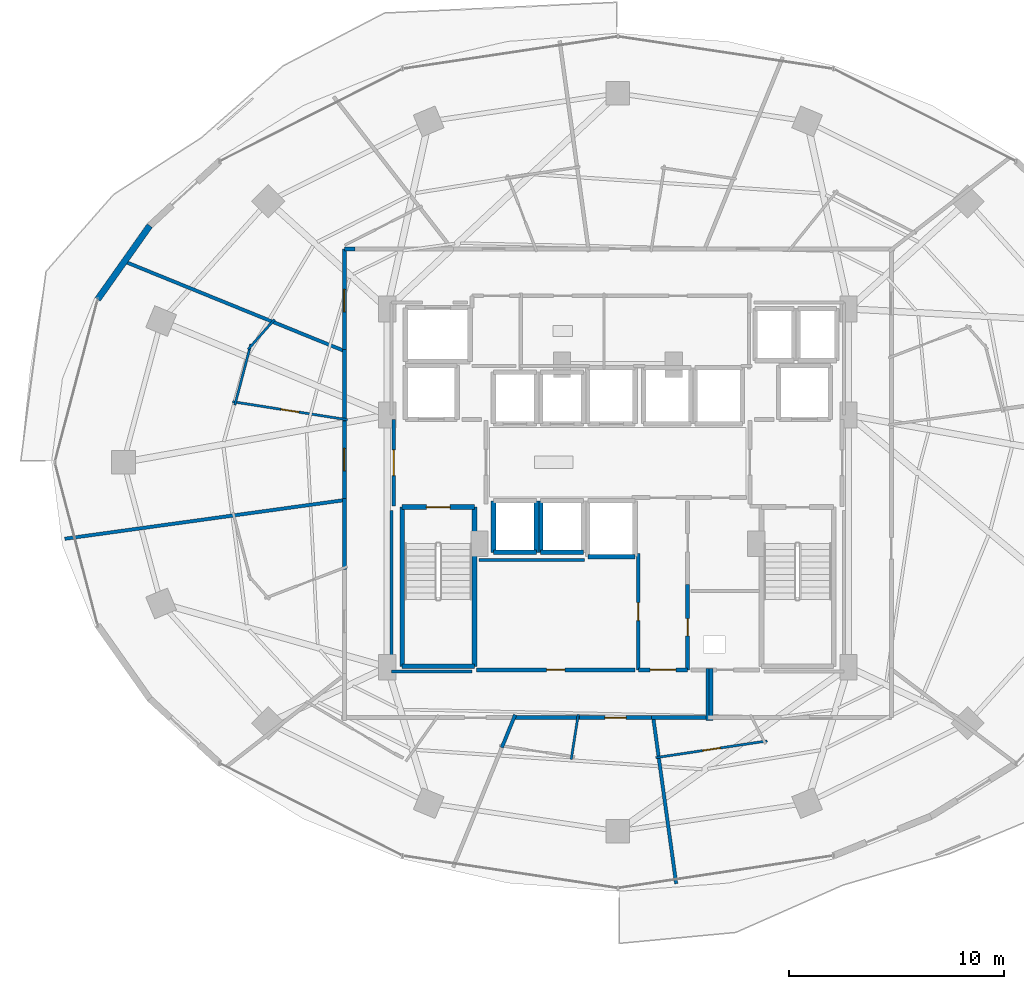
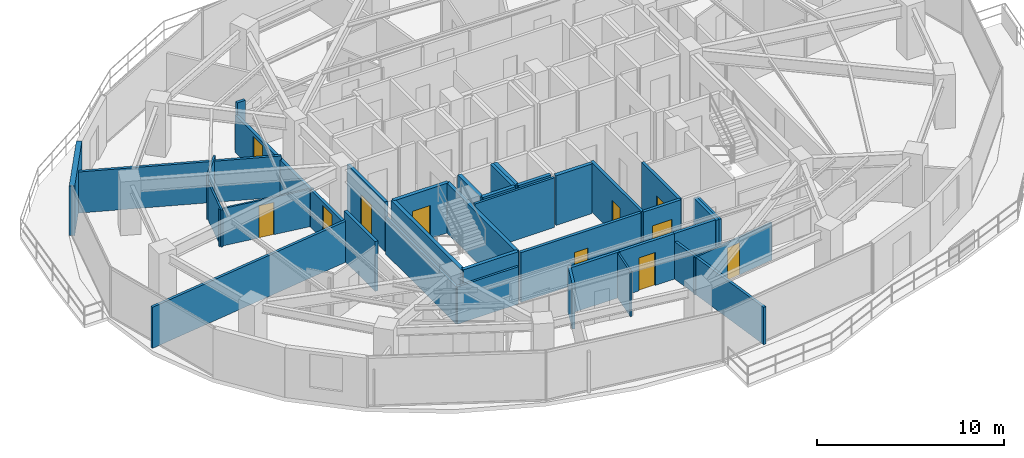
# One storey, part 22 of 30: 38 walls, 11 doors, 11 openings.
"""IFC4 building model written with IfcOpenShell, lengths in metres."""

from ifc_helpers import new_model, si_unit, direction, frame, frame_2d, origin, place, context, subcontext, project, spatial, rectangle, extrude, material, layer, layer_set, type_object, element, fill, save


model = new_model("IFC4")

# Units and contexts
model_context = context("Model", 3, precision=1e-05, world=origin(), true_north=direction((0.0, 1.0)))
body_context = subcontext(model_context, "Body", "Model", "MODEL_VIEW")
ifc_project = project(units=[si_unit("LENGTHUNIT", "METRE"), si_unit("AREAUNIT", "SQUARE_METRE"), si_unit("VOLUMEUNIT", "CUBIC_METRE"), si_unit("PLANEANGLEUNIT", "RADIAN"), si_unit("MASSUNIT", "GRAM", prefix="KILO")], contexts=[model_context])

# Site, building, storey
site_placement = place(None, origin())
site = spatial("IfcSite", under=ifc_project, at=site_placement, CompositionType="ELEMENT")
building_placement = place(site_placement, origin())
building = spatial("IfcBuilding", under=site, at=building_placement, Name="Vorneva Point Tower", CompositionType="ELEMENT")
storey_placement = place(building_placement, frame((0.0, 0.0, 96.300048828125)))
storey = spatial("IfcBuildingStorey", under=building, at=storey_placement, Name="L25", CompositionType="ELEMENT", Elevation=96.300048828125)

# Walls
ifc_material_1 = material(Name="Precast concrete B50 (C40/50)", Category="concrete")
ifc_layer_1 = layer(ifc_material_1, 0.300048828125)
ifc_layer_set_1 = layer_set([ifc_layer_1], Name="Precast concrete B50 (C40/50)")
wall_type_1 = type_object("IfcWallType", Name="WL-EXT-300", PredefinedType="STANDARD", material=ifc_layer_set_1)
wall_1_placement = place(storey_placement, frame((16.173828125, 37.028076171875, 0.0), z_axis=(0.0, 0.0, 1.0), x_axis=(-0.57716435238, -0.81662801222, 0.0)))
element("IfcWall", 1, at=wall_1_placement, inside=storey, type_object=wall_type_1, Name="L25 Pale-Metal Facade Spandrel Wall 07.2", PredefinedType="STANDARD", context=body_context, shape_type="SweptSolid", body=[
    extrude(rectangle(XDim=4.202392578125, YDim=0.300048828125, at=frame_2d((2.10107421875, 0.0))), origin(), (0.0, 0.0, 1.0), 3.239990234375),
])
ifc_material_2 = material(Name="Fire-rated acoustic gypsum stud partition", Category="gypsum")
ifc_layer_2 = layer(ifc_material_2, 0.110107421875)
ifc_layer_set_2 = layer_set([ifc_layer_2], Name="Fire-rated acoustic gypsum stud partition")
wall_type_2 = type_object("IfcWallType", Name="WL-PART-110", PredefinedType="PARTITIONING", material=ifc_layer_set_2)
wall_2_placement = place(storey_placement, frame((20.141357421875, 28.66650390625, 0.0), z_axis=(0.0, 0.0, 1.0), x_axis=(0.254489206931, 0.967075614187, 0.0)))
element("IfcWall", 2, at=wall_2_placement, inside=storey, type_object=wall_type_2, Name="L25 Interior Partition 068", PredefinedType="PARTITIONING", context=body_context, shape_type="SweptSolid", body=[
    extrude(rectangle(XDim=2.9365234375, YDim=0.110107421875, at=frame_2d((1.46826171875, 0.0))), origin(), (0.0, 0.0, 1.0), 2.431884765625),
])
wall_3_placement = place(storey_placement, frame((20.76025390625, 31.26611328125, 0.0), z_axis=(0.0, 0.0, 1.0), x_axis=(0.662008805554, 0.749496058275, 0.0)))
element("IfcWall", 3, at=wall_3_placement, inside=storey, type_object=wall_type_2, Name="L25 Interior Partition 069", PredefinedType="PARTITIONING", context=body_context, shape_type="SweptSolid", body=[
    extrude(rectangle(XDim=1.855712890625, YDim=0.110107421875, at=frame_2d((0.927734375, 0.0))), origin(), (0.0, 0.0, 1.0), 2.921875),
])

# Wall, opening, door
wall_4_placement = place(storey_placement, frame((25.38818359375, 27.982177734375, 0.0), z_axis=(0.0, 0.0, 1.0), x_axis=(-0.98785054141, 0.155406910513, 0.0)))
wall_4 = element("IfcWall", 4, at=wall_4_placement, inside=storey, type_object=wall_type_2, Name="L25 Interior Partition 070", PredefinedType="PARTITIONING", context=body_context, shape_type="SweptSolid", body=[
    extrude(rectangle(XDim=5.4150390625, YDim=0.110107421875, at=frame_2d((2.70751953125, 0.0))), origin(), (0.0, 0.0, 1.0), 2.431884765625),
])
opening_1_placement = place(wall_4_placement, frame((2.28271484375, 0.0, 0.0)))
opening_1 = element("IfcOpeningElement", 5, at=opening_1_placement, cuts=wall_4, Name="Opening ID-02", PredefinedType="OPENING", context=body_context, shape_type="SweptSolid", body=[
    extrude(rectangle(XDim=0.85009765625, YDim=2.10009765625, at=frame_2d((0.425048828125, 1.050048828125))), frame((0.0, 0.06982421875, 0.0), z_axis=(0.0, -1.0, 0.0), x_axis=(1.0, 0.0, 0.0)), (0.0, 0.0, 1.0), 0.139892578125),
])
ifc_material_3 = material(Name="Engineered oak fire-rated door leaf", Category="wood")
door_type_1 = type_object("IfcDoorType", Name="DR-BATH-850", OperationType="NOTDEFINED", PredefinedType="DOOR", material=ifc_material_3)
door_1_placement = place(opening_1_placement, origin())
door_1 = element("IfcDoor", 6, at=door_1_placement, inside=storey, type_object=door_type_1, Name="L25 Door Corner Suite L25-06 / En-Suite Bathroom L25-06", OperationType="SINGLE_SWING_RIGHT", OverallHeight=2.10009765625, OverallWidth=0.85009765625, PredefinedType="DOOR", context=body_context, shape_type="SweptSolid", body=[
    extrude(rectangle(XDim=0.85009765625, YDim=2.10009765625, at=frame_2d((0.425048828125, 1.050048828125))), frame((0.0, 0.02490234375, 0.0), z_axis=(0.0, -1.0, 0.0), x_axis=(1.0, 0.0, 0.0)), (0.0, 0.0, 1.0), 0.050048828125),
])
fill(opening_1, door_1)

# Wall
wall_5_placement = place(storey_placement, frame((36.150634765625, 14.23828125, 0.0), z_axis=(0.0, 0.0, 1.0), x_axis=(-0.15485948048, -0.987936506718, 0.0)))
element("IfcWall", 7, at=wall_5_placement, inside=storey, type_object=wall_type_2, Name="L25 Interior Partition 080", PredefinedType="PARTITIONING", context=body_context, shape_type="SweptSolid", body=[
    extrude(rectangle(XDim=2.114013671875, YDim=0.110107421875, at=frame_2d((1.05712890625, 0.0))), origin(), (0.0, 0.0, 1.0), 2.921875),
])

# Wall, opening, door
wall_6_placement = place(storey_placement, frame((44.96142578125, 13.0107421875, 0.0), z_axis=(0.0, 0.0, 1.0), x_axis=(-0.98888518965, -0.148681141008, 0.0)))
wall_6 = element("IfcWall", 8, at=wall_6_placement, inside=storey, type_object=wall_type_2, Name="L25 Interior Partition 083", PredefinedType="PARTITIONING", context=body_context, shape_type="SweptSolid", body=[
    extrude(rectangle(XDim=5.256103515625, YDim=0.110107421875, at=frame_2d((2.6279296875, 0.0))), origin(), (0.0, 0.0, 1.0), 2.431884765625),
])
opening_2_placement = place(wall_6_placement, frame((2.203125, 0.0, 0.0)))
opening_2 = element("IfcOpeningElement", 9, at=opening_2_placement, cuts=wall_6, Name="Opening ID-02", PredefinedType="OPENING", context=body_context, shape_type="SweptSolid", body=[
    extrude(rectangle(XDim=0.85009765625, YDim=2.10009765625, at=frame_2d((0.425048828125, 1.050048828125))), frame((0.0, 0.06982421875, 0.0), z_axis=(0.0, -1.0, 0.0), x_axis=(1.0, 0.0, 0.0)), (0.0, 0.0, 1.0), 0.139892578125),
])
door_2_placement = place(opening_2_placement, origin())
door_2 = element("IfcDoor", 10, at=door_2_placement, inside=storey, type_object=door_type_1, Name="L25 Door Junior Suite L25-10 / En-Suite Bathroom L25-10", OperationType="SINGLE_SWING_RIGHT", OverallHeight=2.10009765625, OverallWidth=0.85009765625, PredefinedType="DOOR", context=body_context, shape_type="SweptSolid", body=[
    extrude(rectangle(XDim=0.85009765625, YDim=2.10009765625, at=frame_2d((0.425048828125, 1.050048828125))), frame((0.0, 0.02490234375, 0.0), z_axis=(0.0, -1.0, 0.0), x_axis=(1.0, 0.0, 0.0)), (0.0, 0.0, 1.0), 0.050048828125),
])
fill(opening_2, door_2)

# Walls
ifc_layer_3 = layer(ifc_material_2, 0.139892578125)
ifc_layer_set_3 = layer_set([ifc_layer_3], Name="Fire-rated acoustic gypsum stud partition")
wall_type_3 = type_object("IfcWallType", Name="WL-PART-140", PredefinedType="PARTITIONING", material=ifc_layer_set_3)
wall_7_placement = place(storey_placement, frame((36.43896484375, 21.449951171875, 0.0), z_axis=(0.0, 0.0, 1.0), x_axis=(-1.0, 0.0, 0.0)))
element("IfcWall", 11, at=wall_7_placement, inside=storey, type_object=wall_type_3, Name="L25 Interior Closure Partition 093", PredefinedType="PARTITIONING", context=body_context, shape_type="SweptSolid", body=[
    extrude(rectangle(XDim=4.908935546875, YDim=0.139892578125, at=frame_2d((2.45458984375, 0.0))), origin(), (0.0, 0.0, 1.0), 3.239990234375),
])
wall_8_placement = place(storey_placement, frame((31.195068359375, 16.239990234375, 0.0), z_axis=(0.0, 0.0, 1.0), x_axis=(-1.0, 0.0, 0.0)))
element("IfcWall", 12, at=wall_8_placement, inside=storey, type_object=wall_type_3, Name="L25 Interior Closure Partition 098", PredefinedType="PARTITIONING", context=body_context, shape_type="SweptSolid", body=[
    extrude(rectangle(XDim=3.7451171875, YDim=0.139892578125, at=frame_2d((1.87255859375, 0.0))), origin(), (0.0, 0.0, 1.0), 2.431884765625),
])
wall_9_placement = place(storey_placement, frame((27.449951171875, 16.239990234375, 0.0), z_axis=(0.0, 0.0, 1.0), x_axis=(0.0, 1.0, 0.0)))
element("IfcWall", 13, at=wall_9_placement, inside=storey, type_object=wall_type_3, Name="L25 Interior Closure Partition 099", PredefinedType="PARTITIONING", context=body_context, shape_type="SweptSolid", body=[
    extrude(rectangle(XDim=7.513916015625, YDim=0.139892578125, at=frame_2d((3.7568359375, 0.0))), origin(), (0.0, 0.0, 1.0), 2.431884765625),
])
ifc_layer_4 = layer(ifc_material_2, 0.159912109375)
ifc_layer_set_4 = layer_set([ifc_layer_4], Name="Fire-rated acoustic gypsum stud partition")
wall_type_4 = type_object("IfcWallType", Name="WL-PART-160", PredefinedType="PARTITIONING", material=ifc_layer_set_4)
wall_10_placement = place(storey_placement, frame((14.9970703125, 35.35888671875, 0.0), z_axis=(0.0, 0.0, 1.0), x_axis=(0.926288615834, -0.376814808861, 0.0)))
element("IfcWall", 14, at=wall_10_placement, inside=storey, type_object=wall_type_4, Name="L25 Interior Partition 067", PredefinedType="PARTITIONING", context=body_context, shape_type="SweptSolid", body=[
    extrude(rectangle(XDim=11.06884765625, YDim=0.159912109375, at=frame_2d((5.534423828125, 0.0))), origin(), (0.0, 0.0, 1.0), 2.677001953125),
])
wall_11_placement = place(storey_placement, frame((12.215087890625, 22.43310546875, 0.0), z_axis=(0.0, 0.0, 1.0), x_axis=(0.990569013426, 0.137014705927, 0.0)))
element("IfcWall", 15, at=wall_11_placement, inside=storey, type_object=wall_type_4, Name="L25 Interior Partition 071", PredefinedType="PARTITIONING", context=body_context, shape_type="SweptSolid", body=[
    extrude(rectangle(XDim=13.158935546875, YDim=0.159912109375, at=frame_2d((6.57958984375, 0.0))), origin(), (0.0, 0.0, 1.0), 2.677001953125),
])
wall_12_placement = place(storey_placement, frame((32.589111328125, 12.701416015625, 0.0), z_axis=(0.0, 0.0, 1.0), x_axis=(0.376742177728, 0.926318158907, 0.0)))
element("IfcWall", 16, at=wall_12_placement, inside=storey, type_object=wall_type_4, Name="L25 Interior Partition 079", PredefinedType="PARTITIONING", context=body_context, shape_type="SweptSolid", body=[
    extrude(rectangle(XDim=1.64990234375, YDim=0.159912109375, at=frame_2d((0.824951171875, 0.0))), origin(), (0.0, 0.0, 1.0), 2.971923828125),
])
wall_13_placement = place(storey_placement, frame((40.717041015625, 6.35302734375, 0.0), z_axis=(0.0, 0.0, 1.0), x_axis=(-0.136949014068, 0.990578097651, 0.0)))
element("IfcWall", 17, at=wall_13_placement, inside=storey, type_object=wall_type_4, Name="L25 Interior Partition 082", PredefinedType="PARTITIONING", context=body_context, shape_type="SweptSolid", body=[
    extrude(rectangle(XDim=7.82080078125, YDim=0.159912109375, at=frame_2d((3.910400390625, 0.0))), origin(), (0.0, 0.0, 1.0), 2.431884765625),
])

# Wall, opening, door
ifc_material_4 = material(Name="Autoclaved aerated concrete blockwork", Category="masonry")
ifc_layer_5 = layer(ifc_material_4, 0.179931640625)
ifc_layer_set_5 = layer_set([ifc_layer_5], Name="Autoclaved aerated concrete blockwork")
wall_type_5 = type_object("IfcWallType", Name="WL-PART-180", PredefinedType="PARTITIONING", material=ifc_layer_set_5)
wall_14_placement = place(storey_placement, frame((27.550048828125, 28.0, 0.0), z_axis=(0.0, 0.0, 1.0), x_axis=(0.0, -1.0, 0.0)))
wall_14 = element("IfcWall", 18, at=wall_14_placement, inside=storey, type_object=wall_type_5, Name="L25 Interior Partition 002", PredefinedType="PARTITIONING", context=body_context, shape_type="SweptSolid", body=[
    extrude(rectangle(XDim=4.050048828125, YDim=0.179931640625, at=frame_2d((2.02490234375, 0.0))), origin(), (0.0, 0.0, 1.0), 3.239990234375),
])
opening_3_placement = place(wall_14_placement, frame((1.425048828125, 0.0, 0.0)))
opening_3 = element("IfcOpeningElement", 19, at=opening_3_placement, cuts=wall_14, Name="Opening FD-02", PredefinedType="OPENING", context=body_context, shape_type="SweptSolid", body=[
    extrude(rectangle(XDim=1.199951171875, YDim=2.14990234375, at=frame_2d((0.60009765625, 1.074951171875))), frame((0.0, 0.10498046875, 0.0), z_axis=(0.0, -1.0, 0.0), x_axis=(1.0, 0.0, 0.0)), (0.0, 0.0, 1.0), 0.209716796875),
])
ifc_material_5 = material(Name="Fire-rated powder-coated steel", Category="steel")
door_type_2 = type_object("IfcDoorType", Name="DR-FFL-1200", OperationType="NOTDEFINED", PredefinedType="DOOR", material=ifc_material_5)
door_3_placement = place(opening_3_placement, origin())
door_3 = element("IfcDoor", 20, at=door_3_placement, inside=storey, type_object=door_type_2, Name="L25 Door West Firefighting Lobby / L25 Circulation Corridor", OperationType="SINGLE_SWING_RIGHT", OverallHeight=2.14990234375, OverallWidth=1.199951171875, PredefinedType="DOOR", context=body_context, shape_type="SweptSolid", body=[
    extrude(rectangle(XDim=1.199951171875, YDim=2.14990234375, at=frame_2d((0.60009765625, 1.074951171875))), frame((0.0, 0.02490234375, 0.0), z_axis=(0.0, -1.0, 0.0), x_axis=(1.0, 0.0, 0.0)), (0.0, 0.0, 1.0), 0.050048828125),
])
fill(opening_3, door_3)

wall_15_placement = place(storey_placement, frame((41.25, 16.320068359375, 0.0), z_axis=(0.0, 0.0, 1.0), x_axis=(0.0, 1.0, 0.0)))
wall_15 = element("IfcWall", 21, at=wall_15_placement, inside=storey, type_object=wall_type_5, Name="L25 Interior Partition 011", PredefinedType="PARTITIONING", context=body_context, shape_type="SweptSolid", body=[
    extrude(rectangle(XDim=3.98486328125, YDim=0.179931640625, at=frame_2d((1.992431640625, 0.0))), origin(), (0.0, 0.0, 1.0), 3.239990234375),
])
opening_4_placement = place(wall_15_placement, frame((1.592529296875, 0.0, 0.0)))
opening_4 = element("IfcOpeningElement", 22, at=opening_4_placement, cuts=wall_15, Name="Opening RD-01", PredefinedType="OPENING", context=body_context, shape_type="SweptSolid", body=[
    extrude(rectangle(XDim=0.800048828125, YDim=2.050048828125, at=frame_2d((0.39990234375, 1.02490234375))), frame((0.0, 0.10498046875, 0.0), z_axis=(0.0, -1.0, 0.0), x_axis=(1.0, 0.0, 0.0)), (0.0, 0.0, 1.0), 0.209716796875),
])
door_type_3 = type_object("IfcDoorType", Name="DR-RSR-800", OperationType="SINGLE_SWING_LEFT", PredefinedType="DOOR", material=ifc_material_5)
door_4_placement = place(opening_4_placement, origin())
door_4 = element("IfcDoor", 23, at=door_4_placement, inside=storey, type_object=door_type_3, Name="L25 Door Core Service Lobby / Electrical Riser", OperationType="SINGLE_SWING_LEFT", OverallHeight=2.050048828125, OverallWidth=0.800048828125, PredefinedType="DOOR", context=body_context, shape_type="SweptSolid", body=[
    extrude(rectangle(XDim=0.800048828125, YDim=2.050048828125, at=frame_2d((0.39990234375, 1.02490234375))), frame((0.0, 0.02490234375, 0.0), z_axis=(0.0, -1.0, 0.0), x_axis=(1.0, 0.0, 0.0)), (0.0, 0.0, 1.0), 0.050048828125),
])
fill(opening_4, door_4)

wall_16_placement = place(storey_placement, frame((38.949951171875, 21.7548828125, 0.0), z_axis=(0.0, 0.0, 1.0), x_axis=(0.0, -1.0, 0.0)))
wall_16 = element("IfcWall", 24, at=wall_16_placement, inside=storey, type_object=wall_type_5, Name="L25 Interior Partition 013", PredefinedType="PARTITIONING", context=body_context, shape_type="SweptSolid", body=[
    extrude(rectangle(XDim=5.434814453125, YDim=0.179931640625, at=frame_2d((2.71728515625, 0.0))), origin(), (0.0, 0.0, 1.0), 3.239990234375),
])
opening_5_placement = place(wall_16_placement, frame((2.29248046875, 0.0, 0.0)))
opening_5 = element("IfcOpeningElement", 25, at=opening_5_placement, cuts=wall_16, Name="Opening ID-02", PredefinedType="OPENING", context=body_context, shape_type="SweptSolid", body=[
    extrude(rectangle(XDim=0.85009765625, YDim=2.10009765625, at=frame_2d((0.425048828125, 1.050048828125))), frame((0.0, 0.10498046875, 0.0), z_axis=(0.0, -1.0, 0.0), x_axis=(1.0, 0.0, 0.0)), (0.0, 0.0, 1.0), 0.209716796875),
])
door_5_placement = place(opening_5_placement, origin())
door_5 = element("IfcDoor", 26, at=door_5_placement, inside=storey, type_object=door_type_1, Name="L25 Door Core Service Lobby / Housekeeping and Linen Room", OperationType="SINGLE_SWING_LEFT", OverallHeight=2.10009765625, OverallWidth=0.85009765625, PredefinedType="DOOR", context=body_context, shape_type="SweptSolid", body=[
    extrude(rectangle(XDim=0.85009765625, YDim=2.10009765625, at=frame_2d((0.425048828125, 1.050048828125))), frame((0.0, 0.02490234375, 0.0), z_axis=(0.0, -1.0, 0.0), x_axis=(1.0, 0.0, 0.0)), (0.0, 0.0, 1.0), 0.050048828125),
])
fill(opening_5, door_5)

wall_17_placement = place(storey_placement, frame((38.949951171875, 16.320068359375, 0.0), z_axis=(0.0, 0.0, 1.0), x_axis=(1.0, 0.0, 0.0)))
wall_17 = element("IfcWall", 27, at=wall_17_placement, inside=storey, type_object=wall_type_5, Name="L25 Interior Partition 014", PredefinedType="PARTITIONING", context=body_context, shape_type="SweptSolid", body=[
    extrude(rectangle(XDim=2.300048828125, YDim=0.179931640625, at=frame_2d((1.14990234375, 0.0))), origin(), (0.0, 0.0, 1.0), 3.239990234375),
])
opening_6_placement = place(wall_17_placement, frame((0.550048828125, 0.0, 0.0)))
opening_6 = element("IfcOpeningElement", 28, at=opening_6_placement, cuts=wall_17, Name="Opening FD-02", PredefinedType="OPENING", context=body_context, shape_type="SweptSolid", body=[
    extrude(rectangle(XDim=1.199951171875, YDim=2.14990234375, at=frame_2d((0.60009765625, 1.074951171875))), frame((0.0, 0.10498046875, 0.0), z_axis=(0.0, -1.0, 0.0), x_axis=(1.0, 0.0, 0.0)), (0.0, 0.0, 1.0), 0.209716796875),
])
door_6_placement = place(opening_6_placement, origin())
door_6 = element("IfcDoor", 29, at=door_6_placement, inside=storey, type_object=door_type_2, Name="L25 Door Core Service Lobby / L25 Circulation Corridor", OperationType="SINGLE_SWING_RIGHT", OverallHeight=2.14990234375, OverallWidth=1.199951171875, PredefinedType="DOOR", context=body_context, shape_type="SweptSolid", body=[
    extrude(rectangle(XDim=1.199951171875, YDim=2.14990234375, at=frame_2d((0.60009765625, 1.074951171875))), frame((0.0, 0.02490234375, 0.0), z_axis=(0.0, -1.0, 0.0), x_axis=(1.0, 0.0, 0.0)), (0.0, 0.0, 1.0), 0.050048828125),
])
fill(opening_6, door_6)

wall_18_placement = place(storey_placement, frame((31.39990234375, 16.320068359375, 0.0), z_axis=(0.0, 0.0, 1.0), x_axis=(1.0, 0.0, 0.0)))
wall_18 = element("IfcWall", 30, at=wall_18_placement, inside=storey, type_object=wall_type_5, Name="L25 Interior Partition 021", PredefinedType="PARTITIONING", context=body_context, shape_type="SweptSolid", body=[
    extrude(rectangle(XDim=7.400146484375, YDim=0.179931640625, at=frame_2d((3.7001953125, 0.0))), origin(), (0.0, 0.0, 1.0), 3.239990234375),
])
opening_7_placement = place(wall_18_placement, frame((3.27490234375, 0.0, 0.0)))
opening_7 = element("IfcOpeningElement", 31, at=opening_7_placement, cuts=wall_18, Name="Opening ID-02", PredefinedType="OPENING", context=body_context, shape_type="SweptSolid", body=[
    extrude(rectangle(XDim=0.85009765625, YDim=2.10009765625, at=frame_2d((0.425048828125, 1.050048828125))), frame((0.0, 0.10498046875, 0.0), z_axis=(0.0, -1.0, 0.0), x_axis=(1.0, 0.0, 0.0)), (0.0, 0.0, 1.0), 0.209716796875),
])
door_7_placement = place(opening_7_placement, origin())
door_7 = element("IfcDoor", 32, at=door_7_placement, inside=storey, type_object=door_type_1, Name="L25 Door Housekeeping and Linen Room / L25 Circulation Corridor", OperationType="SINGLE_SWING_RIGHT", OverallHeight=2.10009765625, OverallWidth=0.85009765625, PredefinedType="DOOR", context=body_context, shape_type="SweptSolid", body=[
    extrude(rectangle(XDim=0.85009765625, YDim=2.10009765625, at=frame_2d((0.425048828125, 1.050048828125))), frame((0.0, 0.02490234375, 0.0), z_axis=(0.0, -1.0, 0.0), x_axis=(1.0, 0.0, 0.0)), (0.0, 0.0, 1.0), 0.050048828125),
])
fill(opening_7, door_7)

# Wall
wall_19_placement = place(storey_placement, frame((25.7451171875, 35.949951171875, 0.0), z_axis=(0.0, 0.0, 1.0), x_axis=(-1.0, 0.0, 0.0)))
element("IfcWall", 33, at=wall_19_placement, inside=storey, type_object=wall_type_5, Name="L25 Interior Partition 030", PredefinedType="PARTITIONING", context=body_context, shape_type="SweptSolid", body=[
    extrude(rectangle(XDim=0.4951171875, YDim=0.179931640625, at=frame_2d((0.24755859375, 0.0))), origin(), (0.0, 0.0, 1.0), 3.239990234375),
])

# Wall, opening, door
wall_20_placement = place(storey_placement, frame((25.25, 35.949951171875, 0.0), z_axis=(0.0, 0.0, 1.0), x_axis=(0.0, -1.0, 0.0)))
wall_20 = element("IfcWall", 34, at=wall_20_placement, inside=storey, type_object=wall_type_5, Name="L25 Interior Partition 031", PredefinedType="PARTITIONING", context=body_context, shape_type="SweptSolid", body=[
    extrude(rectangle(XDim=4.822021484375, YDim=0.179931640625, at=frame_2d((2.4111328125, 0.0))), origin(), (0.0, 0.0, 1.0), 2.431884765625),
])
opening_8_placement = place(wall_20_placement, frame((1.885986328125, 0.0, 0.0)))
opening_8 = element("IfcOpeningElement", 35, at=opening_8_placement, cuts=wall_20, Name="Opening UD-02", PredefinedType="OPENING", context=body_context, shape_type="SweptSolid", body=[
    extrude(rectangle(XDim=1.050048828125, YDim=2.199951171875, at=frame_2d((0.52490234375, 1.10009765625))), frame((0.0, 0.10498046875, 0.0), z_axis=(0.0, -1.0, 0.0), x_axis=(1.0, 0.0, 0.0)), (0.0, 0.0, 1.0), 0.209716796875),
])
door_type_4 = type_object("IfcDoorType", Name="DR-SUITE-1050", OperationType="NOTDEFINED", PredefinedType="DOOR", material=ifc_material_3)
door_8_placement = place(opening_8_placement, origin())
door_8 = element("IfcDoor", 36, at=door_8_placement, inside=storey, type_object=door_type_4, Name="L25 Door L25 Circulation Corridor / Executive Suite L25-05", OperationType="SINGLE_SWING_LEFT", OverallHeight=2.199951171875, OverallWidth=1.050048828125, PredefinedType="DOOR", context=body_context, shape_type="SweptSolid", body=[
    extrude(rectangle(XDim=1.050048828125, YDim=2.199951171875, at=frame_2d((0.52490234375, 1.10009765625))), frame((0.0, 0.02490234375, 0.0), z_axis=(0.0, -1.0, 0.0), x_axis=(1.0, 0.0, 0.0)), (0.0, 0.0, 1.0), 0.050048828125),
])
fill(opening_8, door_8)

wall_21_placement = place(storey_placement, frame((25.25, 28.06494140625, 0.0), z_axis=(0.0, 0.0, 1.0), x_axis=(0.0, -1.0, 0.0)))
wall_21 = element("IfcWall", 37, at=wall_21_placement, inside=storey, type_object=wall_type_5, Name="L25 Interior Partition 033", PredefinedType="PARTITIONING", context=body_context, shape_type="SweptSolid", body=[
    extrude(rectangle(XDim=3.889892578125, YDim=0.179931640625, at=frame_2d((1.94482421875, 0.0))), origin(), (0.0, 0.0, 1.0), 2.431884765625),
])
opening_9_placement = place(wall_21_placement, frame((1.419921875, 0.0, 0.0)))
opening_9 = element("IfcOpeningElement", 38, at=opening_9_placement, cuts=wall_21, Name="Opening UD-02", PredefinedType="OPENING", context=body_context, shape_type="SweptSolid", body=[
    extrude(rectangle(XDim=1.050048828125, YDim=2.199951171875, at=frame_2d((0.52490234375, 1.10009765625))), frame((0.0, 0.10498046875, 0.0), z_axis=(0.0, -1.0, 0.0), x_axis=(1.0, 0.0, 0.0)), (0.0, 0.0, 1.0), 0.209716796875),
])
door_9_placement = place(opening_9_placement, origin())
door_9 = element("IfcDoor", 39, at=door_9_placement, inside=storey, type_object=door_type_4, Name="L25 Door L25 Circulation Corridor / Corner Suite L25-06", OperationType="SINGLE_SWING_RIGHT", OverallHeight=2.199951171875, OverallWidth=1.050048828125, PredefinedType="DOOR", context=body_context, shape_type="SweptSolid", body=[
    extrude(rectangle(XDim=1.050048828125, YDim=2.199951171875, at=frame_2d((0.52490234375, 1.10009765625))), frame((0.0, 0.02490234375, 0.0), z_axis=(0.0, -1.0, 0.0), x_axis=(1.0, 0.0, 0.0)), (0.0, 0.0, 1.0), 0.050048828125),
])
fill(opening_9, door_9)

# Walls
wall_22_placement = place(storey_placement, frame((25.25, 31.26806640625, 0.0), z_axis=(0.0, 0.0, 1.0), x_axis=(0.0, -1.0, 0.0)))
element("IfcWall", 40, at=wall_22_placement, inside=storey, type_object=wall_type_5, Name="L25 Interior Partition 034", PredefinedType="PARTITIONING", context=body_context, shape_type="SweptSolid", body=[
    extrude(rectangle(XDim=3.343017578125, YDim=0.179931640625, at=frame_2d((1.67138671875, 0.0))), origin(), (0.0, 0.0, 1.0), 2.431884765625),
])
wall_23_placement = place(storey_placement, frame((25.25, 24.31494140625, 0.0), z_axis=(0.0, 0.0, 1.0), x_axis=(0.0, -1.0, 0.0)))
element("IfcWall", 41, at=wall_23_placement, inside=storey, type_object=wall_type_5, Name="L25 Interior Partition 036", PredefinedType="PARTITIONING", context=body_context, shape_type="SweptSolid", body=[
    extrude(rectangle(XDim=3.307861328125, YDim=0.179931640625, at=frame_2d((1.65380859375, 0.0))), origin(), (0.0, 0.0, 1.0), 3.239990234375),
])

# Wall, opening, door
wall_24_placement = place(storey_placement, frame((36.068115234375, 14.10009765625, 0.0), z_axis=(0.0, 0.0, 1.0), x_axis=(1.0, 0.0, 0.0)))
wall_24 = element("IfcWall", 42, at=wall_24_placement, inside=storey, type_object=wall_type_5, Name="L25 Interior Partition 040", PredefinedType="PARTITIONING", context=body_context, shape_type="SweptSolid", body=[
    extrude(rectangle(XDim=3.638916015625, YDim=0.179931640625, at=frame_2d((1.8193359375, 0.0))), origin(), (0.0, 0.0, 1.0), 2.971923828125),
])
opening_10_placement = place(wall_24_placement, frame((1.319580078125, 0.0, 0.0)))
opening_10 = element("IfcOpeningElement", 43, at=opening_10_placement, cuts=wall_24, Name="Opening UD-01", PredefinedType="OPENING", context=body_context, shape_type="SweptSolid", body=[
    extrude(rectangle(XDim=1.0, YDim=2.14990234375, at=frame_2d((0.5, 1.074951171875))), frame((0.0, 0.10498046875, 0.0), z_axis=(0.0, -1.0, 0.0), x_axis=(1.0, 0.0, 0.0)), (0.0, 0.0, 1.0), 0.209716796875),
])
door_type_5 = type_object("IfcDoorType", Name="DR-UNIT-1000", OperationType="NOTDEFINED", PredefinedType="DOOR", material=ifc_material_3)
door_10_placement = place(opening_10_placement, origin())
door_10 = element("IfcDoor", 44, at=door_10_placement, inside=storey, type_object=door_type_5, Name="L25 Door L25 Circulation Corridor / Twin Guest Room L25-09", OperationType="SINGLE_SWING_LEFT", OverallHeight=2.14990234375, OverallWidth=1.0, PredefinedType="DOOR", context=body_context, shape_type="SweptSolid", body=[
    extrude(rectangle(XDim=1.0, YDim=2.14990234375, at=frame_2d((0.5, 1.074951171875))), frame((0.0, 0.02490234375, 0.0), z_axis=(0.0, -1.0, 0.0), x_axis=(1.0, 0.0, 0.0)), (0.0, 0.0, 1.0), 0.050048828125),
])
fill(opening_10, door_10)

# Walls
wall_25_placement = place(storey_placement, frame((33.077880859375, 14.10009765625, 0.0), z_axis=(0.0, 0.0, 1.0), x_axis=(1.0, 0.0, 0.0)))
element("IfcWall", 45, at=wall_25_placement, inside=storey, type_object=wall_type_5, Name="L25 Interior Partition 041", PredefinedType="PARTITIONING", context=body_context, shape_type="SweptSolid", body=[
    extrude(rectangle(XDim=3.130126953125, YDim=0.179931640625, at=frame_2d((1.56494140625, 0.0))), origin(), (0.0, 0.0, 1.0), 2.971923828125),
])
wall_26_placement = place(storey_placement, frame((42.340087890625, 16.3798828125, 0.0), z_axis=(0.0, 0.0, 1.0), x_axis=(0.0, -1.0, 0.0)))
element("IfcWall", 46, at=wall_26_placement, inside=storey, type_object=wall_type_5, Name="L25 Interior Partition 044", PredefinedType="PARTITIONING", context=body_context, shape_type="SweptSolid", body=[
    extrude(rectangle(XDim=2.419921875, YDim=0.179931640625, at=frame_2d((1.2099609375, 0.0))), origin(), (0.0, 0.0, 1.0), 2.971923828125),
])
wall_27_placement = place(storey_placement, frame((39.56689453125, 14.10009765625, 0.0), z_axis=(0.0, 0.0, 1.0), x_axis=(1.0, 0.0, 0.0)))
element("IfcWall", 47, at=wall_27_placement, inside=storey, type_object=wall_type_5, Name="L25 Interior Partition 046", PredefinedType="PARTITIONING", context=body_context, shape_type="SweptSolid", body=[
    extrude(rectangle(XDim=2.773193359375, YDim=0.179931640625, at=frame_2d((1.38671875, 0.0))), origin(), (0.0, 0.0, 1.0), 2.971923828125),
])
wall_28_placement = place(storey_placement, frame((42.199951171875, 13.9599609375, 0.0), z_axis=(0.0, 0.0, 1.0), x_axis=(0.0, 1.0, 0.0)))
element("IfcWall", 48, at=wall_28_placement, inside=storey, type_object=wall_type_5, Name="L25 Interior Partition 047", PredefinedType="PARTITIONING", context=body_context, shape_type="SweptSolid", body=[
    extrude(rectangle(XDim=2.419921875, YDim=0.179931640625, at=frame_2d((1.2099609375, 0.0))), origin(), (0.0, 0.0, 1.0), 2.971923828125),
])

# Wall, opening, door
ifc_material_6 = material(Name="Concrete B50 (C40/50)", Category="concrete")
ifc_layer_6 = layer(ifc_material_6, 0.219970703125)
ifc_layer_set_6 = layer_set([ifc_layer_6], Name="Concrete B50 (C40/50)")
wall_type_6 = type_object("IfcWallType", Name="WL-SHFT-220", PredefinedType="SOLIDWALL", material=ifc_layer_set_6)
wall_29_placement = place(storey_placement, frame((27.93994140625, 23.909912109375, 0.0), z_axis=(0.0, 0.0, 1.0), x_axis=(1.0, 0.0, 0.0)))
wall_29 = element("IfcWall", 49, at=wall_29_placement, inside=storey, type_object=wall_type_6, Name="L25 Exit Stair ST1 Shaft Wall near", PredefinedType="SOLIDWALL", context=body_context, shape_type="SweptSolid", body=[
    extrude(rectangle(XDim=3.3701171875, YDim=0.219970703125, at=frame_2d((1.68505859375, 0.0))), origin(), (0.0, 0.0, 1.0), 3.239990234375),
])
opening_11_placement = place(wall_29_placement, frame((1.135009765625, 0.0, 0.0)))
opening_11 = element("IfcOpeningElement", 50, at=opening_11_placement, cuts=wall_29, Name="Opening FD-01", PredefinedType="OPENING", context=body_context, shape_type="SweptSolid", body=[
    extrude(rectangle(XDim=1.10009765625, YDim=2.14990234375, at=frame_2d((0.550048828125, 1.074951171875))), frame((0.0, 0.125, 0.0), z_axis=(0.0, -1.0, 0.0), x_axis=(1.0, 0.0, 0.0)), (0.0, 0.0, 1.0), 0.249755859375),
])
door_type_6 = type_object("IfcDoorType", Name="DR-STAIR-1100", OperationType="NOTDEFINED", PredefinedType="DOOR", material=ifc_material_5)
door_11_placement = place(opening_11_placement, origin())
door_11 = element("IfcDoor", 51, at=door_11_placement, inside=storey, type_object=door_type_6, Name="L25 Exit Stair ST1 Fire Door", OperationType="SINGLE_SWING_LEFT", OverallHeight=2.14990234375, OverallWidth=1.10009765625, PredefinedType="DOOR", context=body_context, shape_type="SweptSolid", body=[
    extrude(rectangle(XDim=1.10009765625, YDim=2.14990234375, at=frame_2d((0.550048828125, 1.074951171875))), frame((0.0, 0.02490234375, 0.0), z_axis=(0.0, -1.0, 0.0), x_axis=(1.0, 0.0, 0.0)), (0.0, 0.0, 1.0), 0.050048828125),
])
fill(opening_11, door_11)

# Walls
wall_30_placement = place(storey_placement, frame((31.31005859375, 23.909912109375, 0.0), z_axis=(0.0, 0.0, 1.0), x_axis=(0.0, -1.0, 0.0)))
element("IfcWall", 52, at=wall_30_placement, inside=storey, type_object=wall_type_6, Name="L25 Exit Stair ST1 Shaft Wall right", PredefinedType="SOLIDWALL", context=body_context, shape_type="SweptSolid", body=[
    extrude(rectangle(XDim=7.419921875, YDim=0.219970703125, at=frame_2d((3.7099609375, 0.0))), origin(), (0.0, 0.0, 1.0), 3.239990234375),
])
wall_31_placement = place(storey_placement, frame((31.31005859375, 16.489990234375, 0.0), z_axis=(0.0, 0.0, 1.0), x_axis=(-1.0, 0.0, 0.0)))
element("IfcWall", 53, at=wall_31_placement, inside=storey, type_object=wall_type_6, Name="L25 Exit Stair ST1 Shaft Wall far", PredefinedType="SOLIDWALL", context=body_context, shape_type="SweptSolid", body=[
    extrude(rectangle(XDim=3.3701171875, YDim=0.219970703125, at=frame_2d((1.68505859375, 0.0))), origin(), (0.0, 0.0, 1.0), 3.239990234375),
])
wall_32_placement = place(storey_placement, frame((27.93994140625, 16.489990234375, 0.0), z_axis=(0.0, 0.0, 1.0), x_axis=(0.0, 1.0, 0.0)))
element("IfcWall", 54, at=wall_32_placement, inside=storey, type_object=wall_type_6, Name="L25 Exit Stair ST1 Shaft Wall left", PredefinedType="SOLIDWALL", context=body_context, shape_type="SweptSolid", body=[
    extrude(rectangle(XDim=7.419921875, YDim=0.219970703125, at=frame_2d((3.7099609375, 0.0))), origin(), (0.0, 0.0, 1.0), 3.239990234375),
])
wall_33_placement = place(storey_placement, frame((32.199951171875, 21.800048828125, 0.0), z_axis=(0.0, 0.0, 1.0), x_axis=(1.0, 0.0, 0.0)))
element("IfcWall", 55, at=wall_33_placement, inside=storey, type_object=wall_type_6, Name="L25 Lift PL4 Shaft Wall -Y", PredefinedType="SOLIDWALL", context=body_context, shape_type="SweptSolid", body=[
    extrude(rectangle(XDim=2.0, YDim=0.219970703125, at=frame_2d((1.0, 0.0))), origin(), (0.0, 0.0, 1.0), 3.239990234375),
])
for number, where, z_axis, x_axis, name in (
    (56, (34.199951171875, 21.800048828125, 0.0), (0.0, 0.0, 1.0), (0.0, 1.0, 0.0), "L25 Lift PL4 Shaft Wall +X"),
    (57, (32.199951171875, 24.199951171875, 0.0), (0.0, 0.0, 1.0), (0.0, -1.0, 0.0), "L25 Lift PL4 Shaft Wall -X"),
):
    element("IfcWall", number, at=place(storey_placement, frame(where, z_axis=z_axis, x_axis=x_axis)), inside=storey, type_object=wall_type_6, Name=name, PredefinedType="SOLIDWALL", context=body_context, shape_type="SweptSolid", body=[
        extrude(rectangle(XDim=2.39990234375, YDim=0.219970703125, at=frame_2d((1.199951171875, 0.0))), origin(), (0.0, 0.0, 1.0), 3.239990234375),
    ])
wall_34_placement = place(storey_placement, frame((34.39990234375, 21.800048828125, 0.0), z_axis=(0.0, 0.0, 1.0), x_axis=(1.0, 0.0, 0.0)))
element("IfcWall", 58, at=wall_34_placement, inside=storey, type_object=wall_type_6, Name="L25 Lift PL5 Shaft Wall -Y", PredefinedType="SOLIDWALL", context=body_context, shape_type="SweptSolid", body=[
    extrude(rectangle(XDim=2.0, YDim=0.219970703125, at=frame_2d((1.0, 0.0))), origin(), (0.0, 0.0, 1.0), 3.239990234375),
])
wall_35_placement = place(storey_placement, frame((34.39990234375, 24.199951171875, 0.0), z_axis=(0.0, 0.0, 1.0), x_axis=(0.0, -1.0, 0.0)))
element("IfcWall", 59, at=wall_35_placement, inside=storey, type_object=wall_type_6, Name="L25 Lift PL5 Shaft Wall -X", PredefinedType="SOLIDWALL", context=body_context, shape_type="SweptSolid", body=[
    extrude(rectangle(XDim=2.39990234375, YDim=0.219970703125, at=frame_2d((1.199951171875, 0.0))), origin(), (0.0, 0.0, 1.0), 3.239990234375),
])
wall_36_placement = place(storey_placement, frame((36.60009765625, 21.60009765625, 0.0), z_axis=(0.0, 0.0, 1.0), x_axis=(1.0, 0.0, 0.0)))
element("IfcWall", 60, at=wall_36_placement, inside=storey, type_object=wall_type_6, Name="L25 Lift PL6 Shaft Wall -Y", PredefinedType="SOLIDWALL", context=body_context, shape_type="SweptSolid", body=[
    extrude(rectangle(XDim=2.199951171875, YDim=0.219970703125, at=frame_2d((1.10009765625, 0.0))), origin(), (0.0, 0.0, 1.0), 3.239990234375),
])

save(model, "model.ifc")
